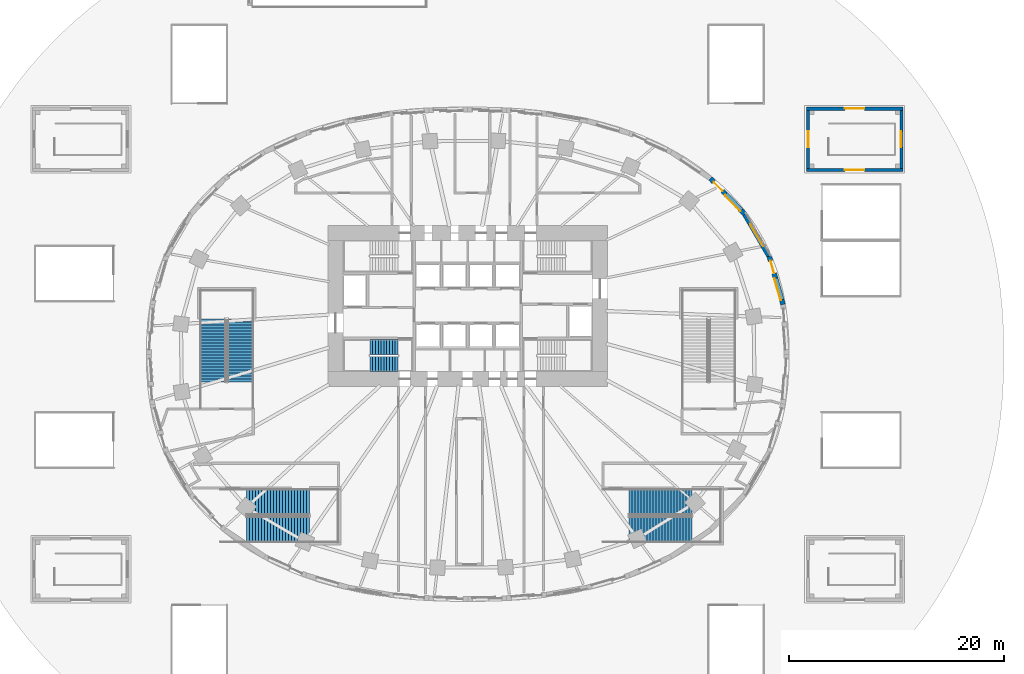
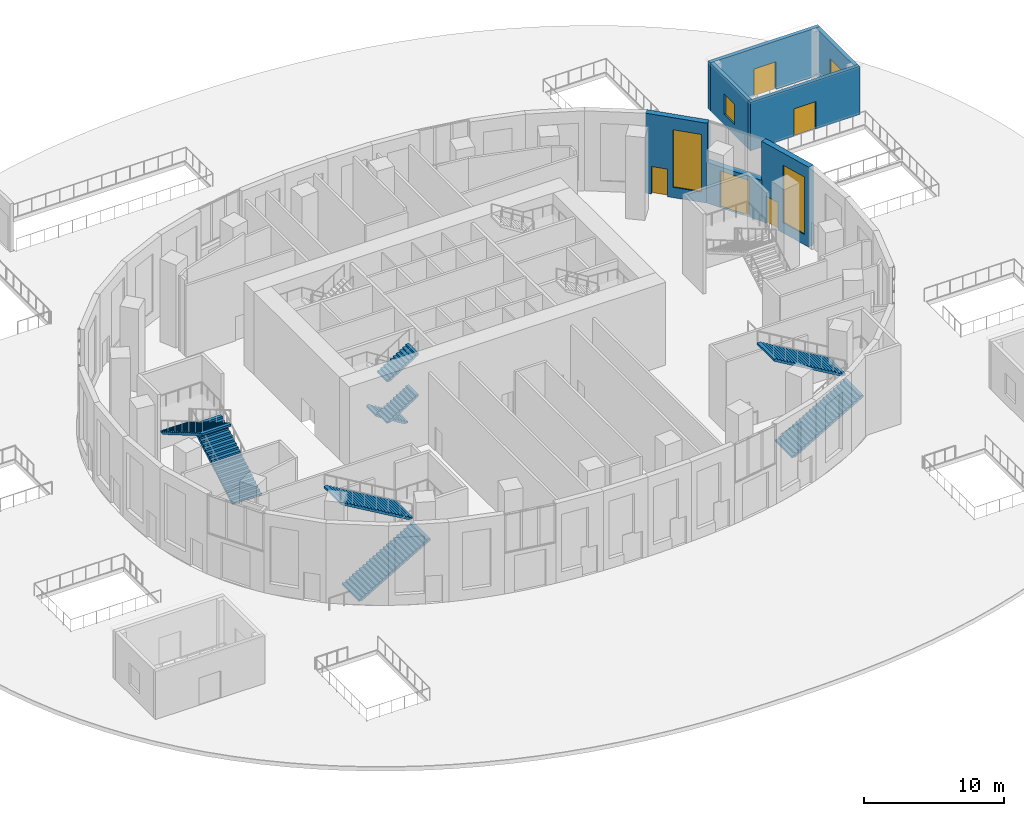
# One storey, part 17 of 27: 9 stair flights, 7 walls, 5 doors, 4 windows, 9 openings, 4 elements without a shape of their own.
"""IFC4 building model written with IfcOpenShell, lengths in metres."""

from ifc_helpers import new_model, si_unit, direction, frame, frame_2d, origin, place, context, subcontext, project, spatial, polyline, rectangle, outline, extrude, material, layer, layer_set, type_object, element, fill, aggregate, save


model = new_model("IFC4")

# Units and contexts
model_context = context("Model", 3, precision=1e-05, world=origin(), true_north=direction((0.0, 1.0)))
body_context = subcontext(model_context, "Body", "Model", "MODEL_VIEW")
ifc_project = project(units=[si_unit("LENGTHUNIT", "METRE"), si_unit("AREAUNIT", "SQUARE_METRE"), si_unit("VOLUMEUNIT", "CUBIC_METRE"), si_unit("PLANEANGLEUNIT", "RADIAN"), si_unit("MASSUNIT", "GRAM", prefix="KILO")], contexts=[model_context])

# Site, building, storey
site_placement = place(None, origin())
site = spatial("IfcSite", under=ifc_project, at=site_placement, CompositionType="ELEMENT")
building_placement = place(site_placement, origin())
building = spatial("IfcBuilding", under=site, at=building_placement, Name="Rubra Terraces Tower", CompositionType="ELEMENT")
storey_placement = place(building_placement, origin())
storey = spatial("IfcBuildingStorey", under=building, at=storey_placement, Name="L00", CompositionType="ELEMENT", Elevation=0.0)

# Wall, openings, door, window
ifc_material_1 = material(Name="Brick masonry red-brown", Category="masonry")
ifc_layer_1 = layer(ifc_material_1, 0.449951171875)
ifc_layer_set_1 = layer_set([ifc_layer_1], Name="Brick masonry red-brown")
wall_type_1 = type_object("IfcWallType", Name="Brick facade wall 450", PredefinedType="SOLIDWALL", material=ifc_layer_set_1)
wall_1_placement = place(storey_placement, frame((29.3466796875, 4.619873046875, 0.0), z_axis=(0.0, 0.0, 1.0), x_axis=(-0.27637239746, 0.961050621935, 0.0)))
wall_1 = element("IfcWall", 1, at=wall_1_placement, inside=storey, type_object=wall_type_1, Name="Facade wall L00 bay 2", PredefinedType="SOLIDWALL", context=body_context, shape_type="SweptSolid", body=[
    extrude(rectangle(XDim=4.685302734375, YDim=0.449951171875, at=frame_2d((2.3427734375, 0.0))), origin(), (0.0, 0.0, 1.0), 6.949951171875),
])
opening_1_placement = place(wall_1_placement, frame((0.449951171875, 0.0, 0.89990234375)))
opening_1 = element("IfcOpeningElement", 2, at=opening_1_placement, cuts=wall_1, Name="Opening W2", PredefinedType="OPENING", context=body_context, shape_type="SweptSolid", body=[
    extrude(rectangle(XDim=2.10009765625, YDim=5.0, at=frame_2d((1.050048828125, 2.5))), frame((0.0, 0.23486328125, 0.0), z_axis=(0.0, -1.0, 0.0), x_axis=(1.0, 0.0, 0.0)), (0.0, 0.0, 1.0), 0.469970703125),
])
opening_2_placement = place(wall_1_placement, frame((3.035400390625, 0.0, 0.0)))
opening_2 = element("IfcOpeningElement", 3, at=opening_2_placement, cuts=wall_1, Name="Opening X2.02", PredefinedType="OPENING", context=body_context, shape_type="SweptSolid", body=[
    extrude(rectangle(XDim=1.199951171875, YDim=2.39990234375, at=frame_2d((0.60009765625, 1.199951171875))), frame((0.0, 0.23486328125, 0.0), z_axis=(0.0, -1.0, 0.0), x_axis=(1.0, 0.0, 0.0)), (0.0, 0.0, 1.0), 0.469970703125),
])
ifc_material_2 = material(Name="Glazed aluminium door leaf", Category="aluminium")
door_type_1 = type_object("IfcDoorType", Name="Exit door 1200 x 2400", OperationType="NOTDEFINED", PredefinedType="DOOR", material=ifc_material_2)
door_1_placement = place(opening_2_placement, frame((1.199951171875, 0.0, 0.0), z_axis=(0.0, 0.0, 1.0), x_axis=(-1.0, 0.0, 0.0)))
door_1 = element("IfcDoor", 4, at=door_1_placement, inside=storey, type_object=door_type_1, Name="Exit door 2", OperationType="SINGLE_SWING_LEFT", OverallHeight=2.39990234375, OverallWidth=1.199951171875, PredefinedType="DOOR", context=body_context, shape_type="SweptSolid", body=[
    extrude(rectangle(XDim=1.199951171875, YDim=2.39990234375, at=frame_2d((0.60009765625, 1.199951171875))), frame((0.0, 0.02490234375, 0.0), z_axis=(0.0, -1.0, 0.0), x_axis=(1.0, 0.0, 0.0)), (0.0, 0.0, 1.0), 0.050048828125),
])
fill(opening_2, door_1)
ifc_material_3 = material(Name="Clear glass in aluminium frame", Category="aluminium")
window_type_1 = type_object("IfcWindowType", Name="Ground storey fixed window 2100 x 5000", PartitioningType="SINGLE_PANEL", PredefinedType="WINDOW", material=ifc_material_3)
window_1_placement = place(opening_1_placement, origin())
window_1 = element("IfcWindow", 5, at=window_1_placement, inside=storey, type_object=window_type_1, Name="Window L00 bay 2", OverallHeight=5.0, OverallWidth=2.10009765625, PartitioningType="SINGLE_PANEL", PredefinedType="WINDOW", context=body_context, shape_type="SweptSolid", body=[
    extrude(rectangle(XDim=2.10009765625, YDim=5.0, at=frame_2d((1.050048828125, 2.5))), frame((0.0, 0.135009765625, 0.0), z_axis=(0.0, -1.0, 0.0), x_axis=(1.0, 0.0, 0.0)), (0.0, 0.0, 1.0), 0.06005859375),
])
fill(opening_1, window_1)

wall_2_placement = place(storey_placement, frame((25.76806640625, 13.055908203125, 0.0), z_axis=(0.0, 0.0, 1.0), x_axis=(-0.694191591241, 0.719790271294, 0.0)))
wall_2 = element("IfcWall", 6, at=wall_2_placement, inside=storey, type_object=wall_type_1, Name="Facade wall L00 bay 4", PredefinedType="SOLIDWALL", context=body_context, shape_type="SweptSolid", body=[
    extrude(rectangle(XDim=4.596923828125, YDim=0.449951171875, at=frame_2d((2.29833984375, 0.0))), origin(), (0.0, 0.0, 1.0), 6.949951171875),
])
opening_3_placement = place(wall_2_placement, frame((0.449951171875, 0.0, 0.89990234375)))
opening_3 = element("IfcOpeningElement", 7, at=opening_3_placement, cuts=wall_2, Name="Opening W2", PredefinedType="OPENING", context=body_context, shape_type="SweptSolid", body=[
    extrude(rectangle(XDim=2.10009765625, YDim=5.0, at=frame_2d((1.050048828125, 2.5))), frame((0.0, 0.23486328125, 0.0), z_axis=(0.0, -1.0, 0.0), x_axis=(1.0, 0.0, 0.0)), (0.0, 0.0, 1.0), 0.469970703125),
])
opening_4_placement = place(wall_2_placement, frame((2.947021484375, 0.0, 0.0)))
opening_4 = element("IfcOpeningElement", 8, at=opening_4_placement, cuts=wall_2, Name="Opening X2.03", PredefinedType="OPENING", context=body_context, shape_type="SweptSolid", body=[
    extrude(rectangle(XDim=1.199951171875, YDim=2.39990234375, at=frame_2d((0.60009765625, 1.199951171875))), frame((0.0, 0.23486328125, 0.0), z_axis=(0.0, -1.0, 0.0), x_axis=(1.0, 0.0, 0.0)), (0.0, 0.0, 1.0), 0.469970703125),
])
door_2_placement = place(opening_4_placement, frame((1.199951171875, 0.0, 0.0), z_axis=(0.0, 0.0, 1.0), x_axis=(-1.0, 0.0, 0.0)))
door_2 = element("IfcDoor", 9, at=door_2_placement, inside=storey, type_object=door_type_1, Name="Exit door 3", OperationType="SINGLE_SWING_LEFT", OverallHeight=2.39990234375, OverallWidth=1.199951171875, PredefinedType="DOOR", context=body_context, shape_type="SweptSolid", body=[
    extrude(rectangle(XDim=1.199951171875, YDim=2.39990234375, at=frame_2d((0.60009765625, 1.199951171875))), frame((0.0, 0.02490234375, 0.0), z_axis=(0.0, -1.0, 0.0), x_axis=(1.0, 0.0, 0.0)), (0.0, 0.0, 1.0), 0.050048828125),
])
fill(opening_4, door_2)
window_2_placement = place(opening_3_placement, origin())
window_2 = element("IfcWindow", 10, at=window_2_placement, inside=storey, type_object=window_type_1, Name="Window L00 bay 4", OverallHeight=5.0, OverallWidth=2.10009765625, PartitioningType="SINGLE_PANEL", PredefinedType="WINDOW", context=body_context, shape_type="SweptSolid", body=[
    extrude(rectangle(XDim=2.10009765625, YDim=5.0, at=frame_2d((1.050048828125, 2.5))), frame((0.0, 0.135009765625, 0.0), z_axis=(0.0, -1.0, 0.0), x_axis=(1.0, 0.0, 0.0)), (0.0, 0.0, 1.0), 0.06005859375),
])
fill(opening_3, window_2)

# Wall, opening, door
ifc_layer_2 = layer(ifc_material_1, 0.449951171875)
ifc_layer_set_2 = layer_set([ifc_layer_2], Name="Brick masonry red-brown")
wall_type_2 = type_object("IfcWallType", Name="Brick wall under entrance screen 450", PredefinedType="SOLIDWALL", material=ifc_layer_set_2)
wall_3_placement = place(storey_placement, frame((28.073486328125, 9.072021484375, 0.0), z_axis=(0.0, 0.0, 1.0), x_axis=(-0.502106426501, 0.864805837438, 0.0)))
wall_3 = element("IfcWall", 11, at=wall_3_placement, inside=storey, type_object=wall_type_2, Name="Facade wall L00 bay 3", PredefinedType="SOLIDWALL", context=body_context, shape_type="SweptSolid", body=[
    extrude(rectangle(XDim=4.65673828125, YDim=0.449951171875, at=frame_2d((2.328369140625, 0.0))), origin(), (0.0, 0.0, 1.0), 3.550048828125),
])
opening_5_placement = place(wall_3_placement, frame((1.128173828125, 0.0, 0.0)))
opening_5 = element("IfcOpeningElement", 12, at=opening_5_placement, cuts=wall_3, Name="Opening X1.01", PredefinedType="OPENING", context=body_context, shape_type="SweptSolid", body=[
    extrude(rectangle(XDim=2.39990234375, YDim=3.199951171875, at=frame_2d((1.199951171875, 1.60009765625))), frame((0.0, 0.23486328125, 0.0), z_axis=(0.0, -1.0, 0.0), x_axis=(1.0, 0.0, 0.0)), (0.0, 0.0, 1.0), 0.469970703125),
])
door_type_2 = type_object("IfcDoorType", Name="Entrance double door 2400 x 3200", OperationType="DOUBLE_DOOR_DOUBLE_SWING", PredefinedType="DOOR", material=ifc_material_2)
door_3_placement = place(opening_5_placement, origin())
door_3 = element("IfcDoor", 13, at=door_3_placement, inside=storey, type_object=door_type_2, Name="Entrance double door 1", OperationType="DOUBLE_DOOR_DOUBLE_SWING", OverallHeight=3.199951171875, OverallWidth=2.39990234375, PredefinedType="DOOR", context=body_context, shape_type="SweptSolid", body=[
    extrude(rectangle(XDim=2.39990234375, YDim=3.199951171875, at=frame_2d((1.199951171875, 1.60009765625))), frame((0.0, 0.02490234375, 0.0), z_axis=(0.0, -1.0, 0.0), x_axis=(1.0, 0.0, 0.0)), (0.0, 0.0, 1.0), 0.050048828125),
])
fill(opening_5, door_3)

ifc_layer_3 = layer(ifc_material_1, 0.300048828125)
ifc_layer_set_3 = layer_set([ifc_layer_3], Name="Brick masonry red-brown")
wall_type_3 = type_object("IfcWallType", Name="Pavilion brick wall 300", PredefinedType="SOLIDWALL", material=ifc_layer_set_3)
wall_4_placement = place(storey_placement, frame((31.5, 17.14990234375, 0.0), z_axis=(0.0, 0.0, 1.0), x_axis=(1.0, 0.0, 0.0)))
wall_4 = element("IfcWall", 14, at=wall_4_placement, inside=storey, type_object=wall_type_3, Name="Pavilion SP1 wall S", PredefinedType="SOLIDWALL", context=body_context, shape_type="SweptSolid", body=[
    extrude(rectangle(XDim=9.0, YDim=0.300048828125, at=frame_2d((4.5, 0.0))), origin(), (0.0, 0.0, 1.0), 4.199951171875),
])
opening_6_placement = place(wall_4_placement, frame((3.60009765625, 0.0, 0.0)))
opening_6 = element("IfcOpeningElement", 15, at=opening_6_placement, cuts=wall_4, Name="Opening P1.S", PredefinedType="OPENING", context=body_context, shape_type="SweptSolid", body=[
    extrude(rectangle(XDim=1.800048828125, YDim=2.39990234375, at=frame_2d((0.89990234375, 1.199951171875))), frame((0.0, 0.159912109375, 0.0), z_axis=(0.0, -1.0, 0.0), x_axis=(1.0, 0.0, 0.0)), (0.0, 0.0, 1.0), 0.320068359375),
])
door_type_3 = type_object("IfcDoorType", Name="Pavilion double door 1800 x 2400", OperationType="DOUBLE_DOOR_DOUBLE_SWING", PredefinedType="DOOR", material=ifc_material_2)
door_4_placement = place(opening_6_placement, origin())
door_4 = element("IfcDoor", 16, at=door_4_placement, inside=storey, type_object=door_type_3, Name="Station entrance door SP1S", OperationType="DOUBLE_DOOR_DOUBLE_SWING", OverallHeight=2.39990234375, OverallWidth=1.800048828125, PredefinedType="DOOR", context=body_context, shape_type="SweptSolid", body=[
    extrude(rectangle(XDim=1.800048828125, YDim=2.39990234375, at=frame_2d((0.89990234375, 1.199951171875))), frame((0.0, 0.02490234375, 0.0), z_axis=(0.0, -1.0, 0.0), x_axis=(1.0, 0.0, 0.0)), (0.0, 0.0, 1.0), 0.050048828125),
])
fill(opening_6, door_4)

# Wall, opening, window
wall_5_placement = place(storey_placement, frame((40.35009765625, 17.300048828125, 0.0), z_axis=(0.0, 0.0, 1.0), x_axis=(0.0, 1.0, 0.0)))
wall_5 = element("IfcWall", 17, at=wall_5_placement, inside=storey, type_object=wall_type_3, Name="Pavilion SP1 wall E", PredefinedType="SOLIDWALL", context=body_context, shape_type="SweptSolid", body=[
    extrude(rectangle(XDim=5.39990234375, YDim=0.300048828125, at=frame_2d((2.699951171875, 0.0))), origin(), (0.0, 0.0, 1.0), 4.199951171875),
])
opening_7_placement = place(wall_5_placement, frame((1.949951171875, 0.0, 0.89990234375)))
opening_7 = element("IfcOpeningElement", 18, at=opening_7_placement, cuts=wall_5, Name="Opening W5", PredefinedType="OPENING", context=body_context, shape_type="SweptSolid", body=[
    extrude(rectangle(XDim=1.5, YDim=1.800048828125, at=frame_2d((0.75, 0.89990234375))), frame((0.0, 0.159912109375, 0.0), z_axis=(0.0, -1.0, 0.0), x_axis=(1.0, 0.0, 0.0)), (0.0, 0.0, 1.0), 0.320068359375),
])
window_type_2 = type_object("IfcWindowType", Name="Pavilion window 1500 x 1800", PartitioningType="SINGLE_PANEL", PredefinedType="WINDOW", material=ifc_material_3)
window_3_placement = place(opening_7_placement, origin())
window_3 = element("IfcWindow", 19, at=window_3_placement, inside=storey, type_object=window_type_2, Name="Pavilion window SP1E", OverallHeight=1.800048828125, OverallWidth=1.5, PartitioningType="SINGLE_PANEL", PredefinedType="WINDOW", context=body_context, shape_type="SweptSolid", body=[
    extrude(rectangle(XDim=1.5, YDim=1.800048828125, at=frame_2d((0.75, 0.89990234375))), frame((0.0, 0.06005859375, 0.0), z_axis=(0.0, -1.0, 0.0), x_axis=(1.0, 0.0, 0.0)), (0.0, 0.0, 1.0), 0.06005859375),
])
fill(opening_7, window_3)

# Wall, opening, door
wall_6_placement = place(storey_placement, frame((40.5, 22.85009765625, 0.0), z_axis=(0.0, 0.0, 1.0), x_axis=(-1.0, 0.0, 0.0)))
wall_6 = element("IfcWall", 20, at=wall_6_placement, inside=storey, type_object=wall_type_3, Name="Pavilion SP1 wall N", PredefinedType="SOLIDWALL", context=body_context, shape_type="SweptSolid", body=[
    extrude(rectangle(XDim=9.0, YDim=0.300048828125, at=frame_2d((4.5, 0.0))), origin(), (0.0, 0.0, 1.0), 4.199951171875),
])
opening_8_placement = place(wall_6_placement, frame((3.60009765625, 0.0, 0.0)))
opening_8 = element("IfcOpeningElement", 21, at=opening_8_placement, cuts=wall_6, Name="Opening P1.N", PredefinedType="OPENING", context=body_context, shape_type="SweptSolid", body=[
    extrude(rectangle(XDim=1.800048828125, YDim=2.39990234375, at=frame_2d((0.89990234375, 1.199951171875))), frame((0.0, 0.159912109375, 0.0), z_axis=(0.0, -1.0, 0.0), x_axis=(1.0, 0.0, 0.0)), (0.0, 0.0, 1.0), 0.320068359375),
])
door_5_placement = place(opening_8_placement, origin())
door_5 = element("IfcDoor", 22, at=door_5_placement, inside=storey, type_object=door_type_3, Name="Station entrance door SP1N", OperationType="DOUBLE_DOOR_DOUBLE_SWING", OverallHeight=2.39990234375, OverallWidth=1.800048828125, PredefinedType="DOOR", context=body_context, shape_type="SweptSolid", body=[
    extrude(rectangle(XDim=1.800048828125, YDim=2.39990234375, at=frame_2d((0.89990234375, 1.199951171875))), frame((0.0, 0.02490234375, 0.0), z_axis=(0.0, -1.0, 0.0), x_axis=(1.0, 0.0, 0.0)), (0.0, 0.0, 1.0), 0.050048828125),
])
fill(opening_8, door_5)

# Wall, opening, window
wall_7_placement = place(storey_placement, frame((31.64990234375, 22.699951171875, 0.0), z_axis=(0.0, 0.0, 1.0), x_axis=(0.0, -1.0, 0.0)))
wall_7 = element("IfcWall", 23, at=wall_7_placement, inside=storey, type_object=wall_type_3, Name="Pavilion SP1 wall W", PredefinedType="SOLIDWALL", context=body_context, shape_type="SweptSolid", body=[
    extrude(rectangle(XDim=5.39990234375, YDim=0.300048828125, at=frame_2d((2.699951171875, 0.0))), origin(), (0.0, 0.0, 1.0), 4.199951171875),
])
opening_9_placement = place(wall_7_placement, frame((1.949951171875, 0.0, 0.89990234375)))
opening_9 = element("IfcOpeningElement", 24, at=opening_9_placement, cuts=wall_7, Name="Opening W5", PredefinedType="OPENING", context=body_context, shape_type="SweptSolid", body=[
    extrude(rectangle(XDim=1.5, YDim=1.800048828125, at=frame_2d((0.75, 0.89990234375))), frame((0.0, 0.159912109375, 0.0), z_axis=(0.0, -1.0, 0.0), x_axis=(1.0, 0.0, 0.0)), (0.0, 0.0, 1.0), 0.320068359375),
])
window_4_placement = place(opening_9_placement, origin())
window_4 = element("IfcWindow", 25, at=window_4_placement, inside=storey, type_object=window_type_2, Name="Pavilion window SP1W", OverallHeight=1.800048828125, OverallWidth=1.5, PartitioningType="SINGLE_PANEL", PredefinedType="WINDOW", context=body_context, shape_type="SweptSolid", body=[
    extrude(rectangle(XDim=1.5, YDim=1.800048828125, at=frame_2d((0.75, 0.89990234375))), frame((0.0, 0.06005859375, 0.0), z_axis=(0.0, -1.0, 0.0), x_axis=(1.0, 0.0, 0.0)), (0.0, 0.0, 1.0), 0.06005859375),
])
fill(opening_9, window_4)

# Stair, stair flights
ifc_material_4 = material(Name="Concrete C40", Category="concrete")
stair_type_1 = type_object("IfcStairType", Name="Core stair 1400", PredefinedType="HALF_TURN_STAIR", material=ifc_material_4)
stair_1_placement = place(storey_placement, origin())
stair_1 = element("IfcStair", 26, at=stair_1_placement, inside=storey, type_object=stair_type_1, Name="L00 Exit stair S1", PredefinedType="HALF_TURN_STAIR")
stair_flight_type_1 = type_object("IfcStairFlightType", Name="Core stair flight 1400", PredefinedType="STRAIGHT", material=ifc_material_4)
stair_flight_1_placement = place(storey_placement, frame((-6.5, 0.64990234375, 0.0), z_axis=(0.0, 0.0, 1.0), x_axis=(-1.0, 0.0, 0.0)))
stair_flight_1 = element("IfcStairFlight", 27, at=stair_flight_1_placement, type_object=stair_flight_type_1, Name="S1 flight 1", NumberOfRisers=11, NumberOfTreads=10, PredefinedType="STRAIGHT", RiserHeight=0.163636364, TreadLength=0.26, context=body_context, shape_type="SweptSolid", body=[
    extrude(outline(polyline([(0.0, 0.0), (0.0, 0.16357421875), (0.260009765625, 0.16357421875), (0.260009765625, 0.327392578125), (0.52001953125, 0.327392578125), (0.52001953125, 0.490966796875), (0.780029296875, 0.490966796875), (0.780029296875, 0.654541015625), (1.0400390625, 0.654541015625), (1.0400390625, 0.818115234375), (1.300048828125, 0.818115234375), (1.300048828125, 0.98193359375), (1.56005859375, 0.98193359375), (1.56005859375, 1.1455078125), (1.820068359375, 1.1455078125), (1.820068359375, 1.30908203125), (2.080078125, 1.30908203125), (2.080078125, 1.47265625), (2.340087890625, 1.47265625), (2.340087890625, 1.636474609375), (2.60009765625, 1.636474609375), (2.60009765625, 1.800048828125), (2.60009765625, 1.459228515625), (0.281494140625, 0.0), (0.0, 0.0)])), frame((0.0, 0.699951171875, 0.0), z_axis=(0.0, -1.0, 0.0), x_axis=(1.0, 0.0, 0.0)), (0.0, 0.0, 1.0), 1.39990234375),
])
stair_flight_2_placement = place(storey_placement, frame((-9.10009765625, -0.89990234375, 1.800048828125), z_axis=(0.0, 0.0, 1.0), x_axis=(1.0, 0.0, 0.0)))
stair_flight_2 = element("IfcStairFlight", 28, at=stair_flight_2_placement, type_object=stair_flight_type_1, Name="S1 flight 2", NumberOfRisers=11, NumberOfTreads=10, PredefinedType="STRAIGHT", RiserHeight=0.163636364, TreadLength=0.26, context=body_context, shape_type="SweptSolid", body=[
    extrude(outline(polyline([(0.0, 0.0), (0.0, 0.16357421875), (0.260009765625, 0.16357421875), (0.260009765625, 0.327392578125), (0.52001953125, 0.327392578125), (0.52001953125, 0.490966796875), (0.780029296875, 0.490966796875), (0.780029296875, 0.654541015625), (1.0400390625, 0.654541015625), (1.0400390625, 0.818115234375), (1.300048828125, 0.818115234375), (1.300048828125, 0.98193359375), (1.56005859375, 0.98193359375), (1.56005859375, 1.1455078125), (1.820068359375, 1.1455078125), (1.820068359375, 1.30908203125), (2.080078125, 1.30908203125), (2.080078125, 1.47265625), (2.340087890625, 1.47265625), (2.340087890625, 1.636474609375), (2.60009765625, 1.636474609375), (2.60009765625, 1.800048828125), (2.60009765625, 1.459228515625), (0.281494140625, 0.0), (0.0, 0.0)])), frame((0.0, 0.699951171875, 0.0), z_axis=(0.0, -1.0, 0.0), x_axis=(1.0, 0.0, 0.0)), (0.0, 0.0, 1.0), 1.39990234375),
])
stair_flight_3_placement = place(storey_placement, frame((-9.10009765625, -0.89990234375, 5.39990234375), z_axis=(0.0, 0.0, 1.0), x_axis=(1.0, 0.0, 0.0)))
stair_flight_3 = element("IfcStairFlight", 29, at=stair_flight_3_placement, type_object=stair_flight_type_1, Name="S1 flight 4", NumberOfRisers=11, NumberOfTreads=10, PredefinedType="STRAIGHT", RiserHeight=0.163636364, TreadLength=0.26, context=body_context, shape_type="SweptSolid", body=[
    extrude(outline(polyline([(0.0, 0.0), (0.0, 0.16357421875), (0.260009765625, 0.16357421875), (0.260009765625, 0.327392578125), (0.52001953125, 0.327392578125), (0.52001953125, 0.490966796875), (0.780029296875, 0.490966796875), (0.780029296875, 0.654541015625), (1.0400390625, 0.654541015625), (1.0400390625, 0.818115234375), (1.300048828125, 0.818115234375), (1.300048828125, 0.98193359375), (1.56005859375, 0.98193359375), (1.56005859375, 1.1455078125), (1.820068359375, 1.1455078125), (1.820068359375, 1.30908203125), (2.080078125, 1.30908203125), (2.080078125, 1.47265625), (2.340087890625, 1.47265625), (2.340087890625, 1.636474609375), (2.60009765625, 1.636474609375), (2.60009765625, 1.800048828125), (2.60009765625, 1.459228515625), (0.281494140625, 0.0), (0.0, 0.0)])), frame((0.0, 0.699951171875, 0.0), z_axis=(0.0, -1.0, 0.0), x_axis=(1.0, 0.0, 0.0)), (0.0, 0.0, 1.0), 1.39990234375),
])
aggregate(stair_1, [stair_flight_1, stair_flight_2, stair_flight_3])

ifc_material_5 = material(Name="Concrete C40/50", Category="concrete")
stair_type_2 = type_object("IfcStairType", Name="Public stair", PredefinedType="HALF_TURN_STAIR", material=ifc_material_5)
stair_2_placement = place(storey_placement, origin())
stair_2 = element("IfcStair", 30, at=stair_2_placement, inside=storey, type_object=stair_type_2, Name="L00 public stair PS1", PredefinedType="HALF_TURN_STAIR")
stair_flight_type_2 = type_object("IfcStairFlightType", Name="Public stair flight 2400", PredefinedType="STRAIGHT", material=ifc_material_5)
stair_flight_4_placement = place(storey_placement, frame((-21.14990234375, -2.60009765625, 0.0), z_axis=(0.0, 0.0, 1.0), x_axis=(0.0, 1.0, 0.0)))
stair_flight_4 = element("IfcStairFlight", 31, at=stair_flight_4_placement, type_object=stair_flight_type_2, Name="PS1 flight 1", NumberOfRisers=22, NumberOfTreads=21, PredefinedType="STRAIGHT", RiserHeight=0.163636364, TreadLength=0.28, context=body_context, shape_type="SweptSolid", body=[
    extrude(outline(polyline([(0.0, 0.0), (0.0, 0.16357421875), (0.280029296875, 0.16357421875), (0.280029296875, 0.327392578125), (0.56005859375, 0.327392578125), (0.56005859375, 0.490966796875), (0.840087890625, 0.490966796875), (0.840087890625, 0.654541015625), (1.1201171875, 0.654541015625), (1.1201171875, 0.818115234375), (1.39990234375, 0.818115234375), (1.39990234375, 0.98193359375), (1.679931640625, 0.98193359375), (1.679931640625, 1.1455078125), (1.9599609375, 1.1455078125), (1.9599609375, 1.30908203125), (2.239990234375, 1.30908203125), (2.239990234375, 1.47265625), (2.52001953125, 1.47265625), (2.52001953125, 1.636474609375), (2.800048828125, 1.636474609375), (2.800048828125, 1.800048828125), (3.080078125, 1.800048828125), (3.080078125, 1.963623046875), (3.360107421875, 1.963623046875), (3.360107421875, 2.127197265625), (3.639892578125, 2.127197265625), (3.639892578125, 2.291015625), (3.919921875, 2.291015625), (3.919921875, 2.45458984375), (4.199951171875, 2.45458984375), (4.199951171875, 2.6181640625), (4.47998046875, 2.6181640625), (4.47998046875, 2.78173828125), (4.760009765625, 2.78173828125), (4.760009765625, 2.945556640625), (5.0400390625, 2.945556640625), (5.0400390625, 3.109130859375), (5.320068359375, 3.109130859375), (5.320068359375, 3.272705078125), (5.60009765625, 3.272705078125), (5.60009765625, 3.436279296875), (5.8798828125, 3.436279296875), (5.8798828125, 3.60009765625), (5.8798828125, 3.2626953125), (0.297119140625, 0.0), (0.0, 0.0)])), frame((0.0, 1.199951171875, 0.0), z_axis=(0.0, -1.0, 0.0), x_axis=(1.0, 0.0, 0.0)), (0.0, 0.0, 1.0), 2.39990234375),
])
stair_flight_5_placement = place(storey_placement, frame((-23.699951171875, 3.280029296875, 3.60009765625), z_axis=(0.0, 0.0, 1.0), x_axis=(0.0, -1.0, 0.0)))
stair_flight_5 = element("IfcStairFlight", 32, at=stair_flight_5_placement, type_object=stair_flight_type_2, Name="PS1 flight 2", NumberOfRisers=22, NumberOfTreads=21, PredefinedType="STRAIGHT", RiserHeight=0.163636364, TreadLength=0.28, context=body_context, shape_type="SweptSolid", body=[
    extrude(outline(polyline([(0.0, 0.0), (0.0, 0.16357421875), (0.280029296875, 0.16357421875), (0.280029296875, 0.327392578125), (0.56005859375, 0.327392578125), (0.56005859375, 0.490966796875), (0.840087890625, 0.490966796875), (0.840087890625, 0.654541015625), (1.1201171875, 0.654541015625), (1.1201171875, 0.818115234375), (1.39990234375, 0.818115234375), (1.39990234375, 0.98193359375), (1.679931640625, 0.98193359375), (1.679931640625, 1.1455078125), (1.9599609375, 1.1455078125), (1.9599609375, 1.30908203125), (2.239990234375, 1.30908203125), (2.239990234375, 1.47265625), (2.52001953125, 1.47265625), (2.52001953125, 1.636474609375), (2.800048828125, 1.636474609375), (2.800048828125, 1.800048828125), (3.080078125, 1.800048828125), (3.080078125, 1.963623046875), (3.360107421875, 1.963623046875), (3.360107421875, 2.127197265625), (3.639892578125, 2.127197265625), (3.639892578125, 2.291015625), (3.919921875, 2.291015625), (3.919921875, 2.45458984375), (4.199951171875, 2.45458984375), (4.199951171875, 2.6181640625), (4.47998046875, 2.6181640625), (4.47998046875, 2.78173828125), (4.760009765625, 2.78173828125), (4.760009765625, 2.945556640625), (5.0400390625, 2.945556640625), (5.0400390625, 3.109130859375), (5.320068359375, 3.109130859375), (5.320068359375, 3.272705078125), (5.60009765625, 3.272705078125), (5.60009765625, 3.436279296875), (5.8798828125, 3.436279296875), (5.8798828125, 3.60009765625), (5.8798828125, 3.2626953125), (0.297119140625, 0.0), (0.0, 0.0)])), frame((0.0, 1.199951171875, 0.0), z_axis=(0.0, -1.0, 0.0), x_axis=(1.0, 0.0, 0.0)), (0.0, 0.0, 1.0), 2.39990234375),
])
aggregate(stair_2, [stair_flight_4, stair_flight_5])

stair_3_placement = place(storey_placement, origin())
stair_3 = element("IfcStair", 33, at=stair_3_placement, inside=storey, type_object=stair_type_2, Name="L00 public stair PS3", PredefinedType="HALF_TURN_STAIR")
stair_flight_6_placement = place(storey_placement, frame((-20.60009765625, -16.300048828125, 0.0), z_axis=(0.0, 0.0, 1.0), x_axis=(1.0, 0.0, 0.0)))
stair_flight_6 = element("IfcStairFlight", 34, at=stair_flight_6_placement, type_object=stair_flight_type_2, Name="PS3 flight 1", NumberOfRisers=22, NumberOfTreads=21, PredefinedType="STRAIGHT", RiserHeight=0.163636364, TreadLength=0.28, context=body_context, shape_type="SweptSolid", body=[
    extrude(outline(polyline([(0.0, 0.0), (0.0, 0.16357421875), (0.280029296875, 0.16357421875), (0.280029296875, 0.327392578125), (0.56005859375, 0.327392578125), (0.56005859375, 0.490966796875), (0.840087890625, 0.490966796875), (0.840087890625, 0.654541015625), (1.1201171875, 0.654541015625), (1.1201171875, 0.818115234375), (1.39990234375, 0.818115234375), (1.39990234375, 0.98193359375), (1.679931640625, 0.98193359375), (1.679931640625, 1.1455078125), (1.9599609375, 1.1455078125), (1.9599609375, 1.30908203125), (2.239990234375, 1.30908203125), (2.239990234375, 1.47265625), (2.52001953125, 1.47265625), (2.52001953125, 1.636474609375), (2.800048828125, 1.636474609375), (2.800048828125, 1.800048828125), (3.080078125, 1.800048828125), (3.080078125, 1.963623046875), (3.360107421875, 1.963623046875), (3.360107421875, 2.127197265625), (3.639892578125, 2.127197265625), (3.639892578125, 2.291015625), (3.919921875, 2.291015625), (3.919921875, 2.45458984375), (4.199951171875, 2.45458984375), (4.199951171875, 2.6181640625), (4.47998046875, 2.6181640625), (4.47998046875, 2.78173828125), (4.760009765625, 2.78173828125), (4.760009765625, 2.945556640625), (5.0400390625, 2.945556640625), (5.0400390625, 3.109130859375), (5.320068359375, 3.109130859375), (5.320068359375, 3.272705078125), (5.60009765625, 3.272705078125), (5.60009765625, 3.436279296875), (5.8798828125, 3.436279296875), (5.8798828125, 3.60009765625), (5.8798828125, 3.2626953125), (0.297119140625, 0.0), (0.0, 0.0)])), frame((0.0, 1.199951171875, 0.0), z_axis=(0.0, -1.0, 0.0), x_axis=(1.0, 0.0, 0.0)), (0.0, 0.0, 1.0), 2.39990234375),
])
stair_flight_7_placement = place(storey_placement, frame((-14.719970703125, -13.75, 3.60009765625), z_axis=(0.0, 0.0, 1.0), x_axis=(-1.0, 0.0, 0.0)))
stair_flight_7 = element("IfcStairFlight", 35, at=stair_flight_7_placement, type_object=stair_flight_type_2, Name="PS3 flight 2", NumberOfRisers=22, NumberOfTreads=21, PredefinedType="STRAIGHT", RiserHeight=0.163636364, TreadLength=0.28, context=body_context, shape_type="SweptSolid", body=[
    extrude(outline(polyline([(0.0, 0.0), (0.0, 0.16357421875), (0.280029296875, 0.16357421875), (0.280029296875, 0.327392578125), (0.56005859375, 0.327392578125), (0.56005859375, 0.490966796875), (0.840087890625, 0.490966796875), (0.840087890625, 0.654541015625), (1.1201171875, 0.654541015625), (1.1201171875, 0.818115234375), (1.39990234375, 0.818115234375), (1.39990234375, 0.98193359375), (1.679931640625, 0.98193359375), (1.679931640625, 1.1455078125), (1.9599609375, 1.1455078125), (1.9599609375, 1.30908203125), (2.239990234375, 1.30908203125), (2.239990234375, 1.47265625), (2.52001953125, 1.47265625), (2.52001953125, 1.636474609375), (2.800048828125, 1.636474609375), (2.800048828125, 1.800048828125), (3.080078125, 1.800048828125), (3.080078125, 1.963623046875), (3.360107421875, 1.963623046875), (3.360107421875, 2.127197265625), (3.639892578125, 2.127197265625), (3.639892578125, 2.291015625), (3.919921875, 2.291015625), (3.919921875, 2.45458984375), (4.199951171875, 2.45458984375), (4.199951171875, 2.6181640625), (4.47998046875, 2.6181640625), (4.47998046875, 2.78173828125), (4.760009765625, 2.78173828125), (4.760009765625, 2.945556640625), (5.0400390625, 2.945556640625), (5.0400390625, 3.109130859375), (5.320068359375, 3.109130859375), (5.320068359375, 3.272705078125), (5.60009765625, 3.272705078125), (5.60009765625, 3.436279296875), (5.8798828125, 3.436279296875), (5.8798828125, 3.60009765625), (5.8798828125, 3.2626953125), (0.297119140625, 0.0), (0.0, 0.0)])), frame((0.0, 1.199951171875, 0.0), z_axis=(0.0, -1.0, 0.0), x_axis=(1.0, 0.0, 0.0)), (0.0, 0.0, 1.0), 2.39990234375),
])
aggregate(stair_3, [stair_flight_6, stair_flight_7])

stair_4_placement = place(storey_placement, origin())
stair_4 = element("IfcStair", 36, at=stair_4_placement, inside=storey, type_object=stair_type_2, Name="L00 public stair PS4", PredefinedType="HALF_TURN_STAIR")
stair_flight_8_placement = place(storey_placement, frame((15.0, -16.300048828125, 0.0), z_axis=(0.0, 0.0, 1.0), x_axis=(1.0, 0.0, 0.0)))
stair_flight_8 = element("IfcStairFlight", 37, at=stair_flight_8_placement, type_object=stair_flight_type_2, Name="PS4 flight 1", NumberOfRisers=22, NumberOfTreads=21, PredefinedType="STRAIGHT", RiserHeight=0.163636364, TreadLength=0.28, context=body_context, shape_type="SweptSolid", body=[
    extrude(outline(polyline([(0.0, 0.0), (0.0, 0.16357421875), (0.280029296875, 0.16357421875), (0.280029296875, 0.327392578125), (0.56005859375, 0.327392578125), (0.56005859375, 0.490966796875), (0.840087890625, 0.490966796875), (0.840087890625, 0.654541015625), (1.1201171875, 0.654541015625), (1.1201171875, 0.818115234375), (1.39990234375, 0.818115234375), (1.39990234375, 0.98193359375), (1.679931640625, 0.98193359375), (1.679931640625, 1.1455078125), (1.9599609375, 1.1455078125), (1.9599609375, 1.30908203125), (2.239990234375, 1.30908203125), (2.239990234375, 1.47265625), (2.52001953125, 1.47265625), (2.52001953125, 1.636474609375), (2.800048828125, 1.636474609375), (2.800048828125, 1.800048828125), (3.080078125, 1.800048828125), (3.080078125, 1.963623046875), (3.360107421875, 1.963623046875), (3.360107421875, 2.127197265625), (3.639892578125, 2.127197265625), (3.639892578125, 2.291015625), (3.919921875, 2.291015625), (3.919921875, 2.45458984375), (4.199951171875, 2.45458984375), (4.199951171875, 2.6181640625), (4.47998046875, 2.6181640625), (4.47998046875, 2.78173828125), (4.760009765625, 2.78173828125), (4.760009765625, 2.945556640625), (5.0400390625, 2.945556640625), (5.0400390625, 3.109130859375), (5.320068359375, 3.109130859375), (5.320068359375, 3.272705078125), (5.60009765625, 3.272705078125), (5.60009765625, 3.436279296875), (5.8798828125, 3.436279296875), (5.8798828125, 3.60009765625), (5.8798828125, 3.2626953125), (0.297119140625, 0.0), (0.0, 0.0)])), frame((0.0, 1.199951171875, 0.0), z_axis=(0.0, -1.0, 0.0), x_axis=(1.0, 0.0, 0.0)), (0.0, 0.0, 1.0), 2.39990234375),
])
stair_flight_9_placement = place(storey_placement, frame((20.8798828125, -13.75, 3.60009765625), z_axis=(0.0, 0.0, 1.0), x_axis=(-1.0, 0.0, 0.0)))
stair_flight_9 = element("IfcStairFlight", 38, at=stair_flight_9_placement, type_object=stair_flight_type_2, Name="PS4 flight 2", NumberOfRisers=22, NumberOfTreads=21, PredefinedType="STRAIGHT", RiserHeight=0.163636364, TreadLength=0.28, context=body_context, shape_type="SweptSolid", body=[
    extrude(outline(polyline([(0.0, 0.0), (0.0, 0.16357421875), (0.280029296875, 0.16357421875), (0.280029296875, 0.327392578125), (0.56005859375, 0.327392578125), (0.56005859375, 0.490966796875), (0.840087890625, 0.490966796875), (0.840087890625, 0.654541015625), (1.1201171875, 0.654541015625), (1.1201171875, 0.818115234375), (1.39990234375, 0.818115234375), (1.39990234375, 0.98193359375), (1.679931640625, 0.98193359375), (1.679931640625, 1.1455078125), (1.9599609375, 1.1455078125), (1.9599609375, 1.30908203125), (2.239990234375, 1.30908203125), (2.239990234375, 1.47265625), (2.52001953125, 1.47265625), (2.52001953125, 1.636474609375), (2.800048828125, 1.636474609375), (2.800048828125, 1.800048828125), (3.080078125, 1.800048828125), (3.080078125, 1.963623046875), (3.360107421875, 1.963623046875), (3.360107421875, 2.127197265625), (3.639892578125, 2.127197265625), (3.639892578125, 2.291015625), (3.919921875, 2.291015625), (3.919921875, 2.45458984375), (4.199951171875, 2.45458984375), (4.199951171875, 2.6181640625), (4.47998046875, 2.6181640625), (4.47998046875, 2.78173828125), (4.760009765625, 2.78173828125), (4.760009765625, 2.945556640625), (5.0400390625, 2.945556640625), (5.0400390625, 3.109130859375), (5.320068359375, 3.109130859375), (5.320068359375, 3.272705078125), (5.60009765625, 3.272705078125), (5.60009765625, 3.436279296875), (5.8798828125, 3.436279296875), (5.8798828125, 3.60009765625), (5.8798828125, 3.2626953125), (0.297119140625, 0.0), (0.0, 0.0)])), frame((0.0, 1.199951171875, 0.0), z_axis=(0.0, -1.0, 0.0), x_axis=(1.0, 0.0, 0.0)), (0.0, 0.0, 1.0), 2.39990234375),
])
aggregate(stair_4, [stair_flight_8, stair_flight_9])

save(model, "model.ifc")
